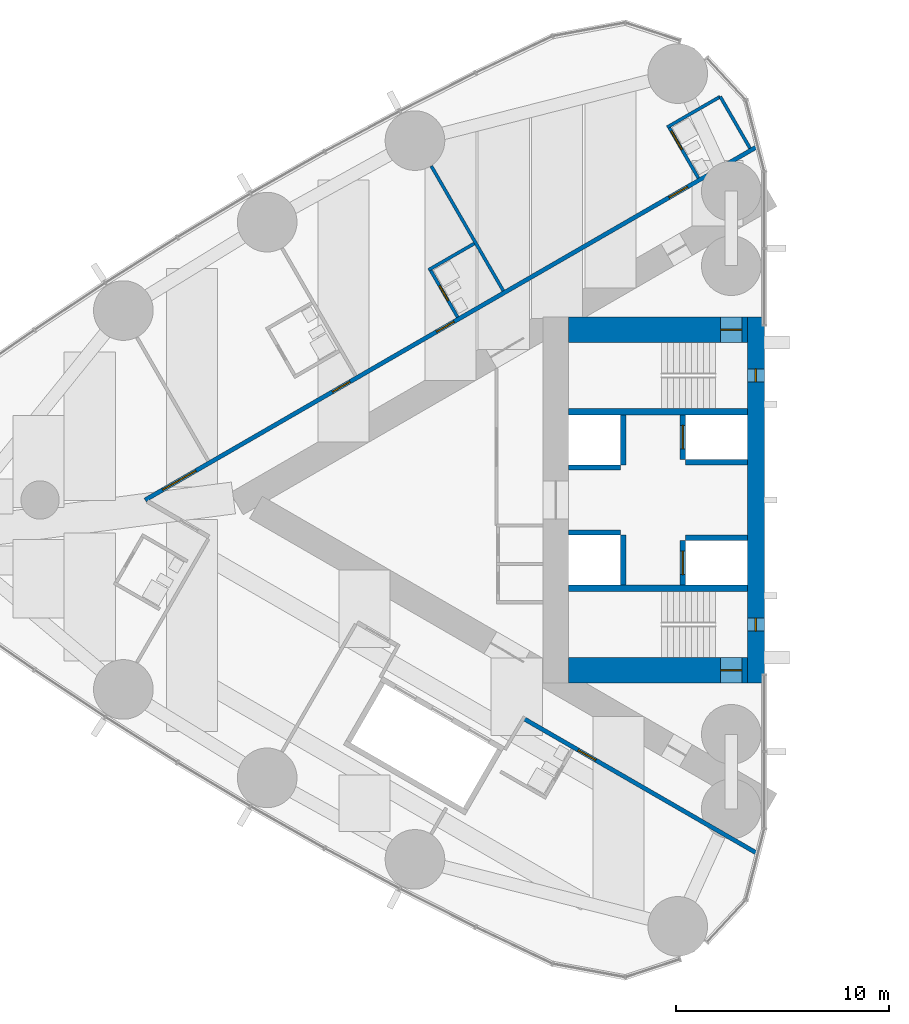
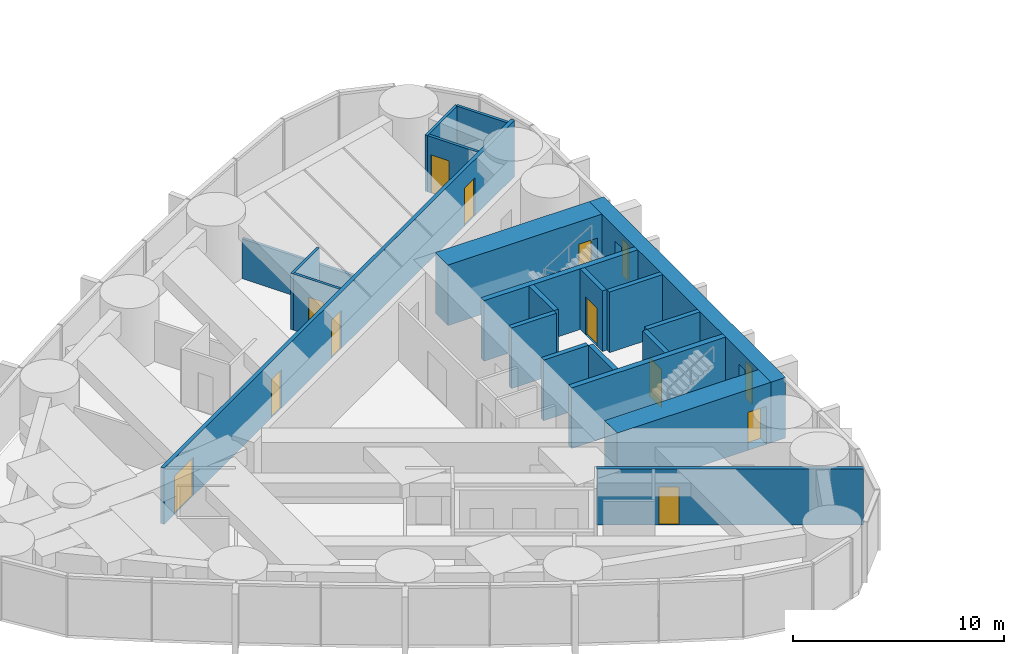
# One storey, part 13 of 19: 21 walls, 11 doors, 2 windows, 13 openings.
"""IFC4 building model written with IfcOpenShell, lengths in metres."""

from ifc_helpers import new_model, si_unit, direction, frame, frame_2d, origin, place, context, subcontext, project, spatial, rectangle, extrude, material, layer, layer_set, type_object, element, fill, save


model = new_model("IFC4")

# Units and contexts
model_context = context("Model", 3, precision=1e-05, world=origin(), true_north=direction((0.0, 1.0)))
body_context = subcontext(model_context, "Body", "Model", "MODEL_VIEW")
ifc_project = project(units=[si_unit("LENGTHUNIT", "METRE"), si_unit("AREAUNIT", "SQUARE_METRE"), si_unit("VOLUMEUNIT", "CUBIC_METRE"), si_unit("PLANEANGLEUNIT", "RADIAN"), si_unit("MASSUNIT", "GRAM", prefix="KILO")], contexts=[model_context])

# Site, building, storey
site_placement = place(None, origin())
site = spatial("IfcSite", under=ifc_project, at=site_placement, CompositionType="ELEMENT")
building_placement = place(site_placement, origin())
building = spatial("IfcBuilding", under=site, at=building_placement, Name="Lancet Gate Hotel", CompositionType="ELEMENT")
storey_placement = place(building_placement, frame((0.0, 0.0, 198.300048828125)))
storey = spatial("IfcBuildingStorey", under=building, at=storey_placement, Name="L53", CompositionType="ELEMENT", Elevation=198.300048828125)

# Wall
ifc_material_1 = material(Name="Moisture resistant board partition")
ifc_layer_1 = layer(ifc_material_1, 0.14990234375)
ifc_layer_set_1 = layer_set([ifc_layer_1], Name="Bathroom wall 150")
wall_type_1 = type_object("IfcWallType", Name="Bathroom wall 150", PredefinedType="PARTITIONING", material=ifc_layer_set_1)
wall_1_placement = place(storey_placement, frame((-29.56982421875, 18.936279296875, 0.0), z_axis=(0.0, 0.0, 1.0), x_axis=(-0.866018712932, -0.500011588718, 0.0)))
element("IfcWall", 1, at=wall_1_placement, inside=storey, type_object=wall_type_1, Name="T1 bathroom wall 150 L53", PredefinedType="PARTITIONING", context=body_context, shape_type="SweptSolid", body=[
    extrude(rectangle(XDim=2.875, YDim=0.14990234375, at=frame_2d((1.4375, 0.0))), origin(), (0.0, 0.0, 1.0), 3.25),
])

# Wall, opening, door
wall_2_placement = place(storey_placement, frame((-30.5947265625, 15.111328125, 0.0), z_axis=(0.0, 0.0, 1.0), x_axis=(-0.49998411664, 0.866034573852, 0.0)))
wall_2 = element("IfcWall", 2, at=wall_2_placement, inside=storey, type_object=wall_type_1, Name="T1 bathroom wall 150 L53", PredefinedType="PARTITIONING", context=body_context, shape_type="SweptSolid", body=[
    extrude(rectangle(XDim=2.7998046875, YDim=0.14990234375, at=frame_2d((1.39990234375, 0.0))), origin(), (0.0, 0.0, 1.0), 3.25),
])
opening_1_placement = place(wall_2_placement, frame((1.550048828125, 0.0, 0.0)))
opening_1 = element("IfcOpeningElement", 3, at=opening_1_placement, cuts=wall_2, Name="Opening 5301-B", PredefinedType="OPENING", context=body_context, shape_type="SweptSolid", body=[
    extrude(rectangle(XDim=1.0, YDim=2.199951171875, at=frame_2d((0.5, 1.10009765625))), frame((0.0, 0.0849609375, 0.0), z_axis=(0.0, -1.0, 0.0), x_axis=(1.0, 0.0, 0.0)), (0.0, 0.0, 1.0), 0.169921875),
])
ifc_material_2 = material(Name="Timber door set", Category="wood")
door_type_1 = type_object("IfcDoorType", Name="Accessible en-suite door 1000", OperationType="SINGLE_SWING_RIGHT", PredefinedType="DOOR", material=ifc_material_2)
door_1_placement = place(opening_1_placement, origin())
door_1 = element("IfcDoor", 4, at=door_1_placement, inside=storey, type_object=door_type_1, Name="5301-B", OperationType="SINGLE_SWING_RIGHT", OverallHeight=2.199951171875, OverallWidth=1.0, PredefinedType="DOOR", context=body_context, shape_type="SweptSolid", body=[
    extrude(rectangle(XDim=1.0, YDim=2.199951171875, at=frame_2d((0.5, 1.10009765625))), frame((0.0, 0.02490234375, 0.0), z_axis=(0.0, -1.0, 0.0), x_axis=(1.0, 0.0, 0.0)), (0.0, 0.0, 1.0), 0.050048828125),
])
fill(opening_1, door_1)

# Walls
wall_3_placement = place(storey_placement, frame((-28.169921875, 16.51123046875, 0.0), z_axis=(0.0, 0.0, 1.0), x_axis=(-0.49994636267, 0.866056369097, 0.0)))
element("IfcWall", 5, at=wall_3_placement, inside=storey, type_object=wall_type_1, Name="T1 bathroom wall 150 L53", PredefinedType="PARTITIONING", context=body_context, shape_type="SweptSolid", body=[
    extrude(rectangle(XDim=2.800048828125, YDim=0.14990234375, at=frame_2d((1.39990234375, 0.0))), origin(), (0.0, 0.0, 1.0), 3.25),
])
wall_4_placement = place(storey_placement, frame((-41.119140625, 12.037109375, 0.0), z_axis=(0.0, 0.0, 1.0), x_axis=(-0.866073894602, -0.499916002032, 0.0)))
element("IfcWall", 6, at=wall_4_placement, inside=storey, type_object=wall_type_1, Name="T1 bathroom wall 150 L53", PredefinedType="PARTITIONING", context=body_context, shape_type="SweptSolid", body=[
    extrude(rectangle(XDim=2.47509765625, YDim=0.14990234375, at=frame_2d((1.237548828125, 0.0))), origin(), (0.0, 0.0, 1.0), 3.25),
])

# Wall, opening, door
wall_5_placement = place(storey_placement, frame((-41.897705078125, 8.58544921875, 0.0), z_axis=(0.0, 0.0, 1.0), x_axis=(-0.500006934395, 0.866021400173, 0.0)))
wall_5 = element("IfcWall", 7, at=wall_5_placement, inside=storey, type_object=wall_type_1, Name="T1 bathroom wall 150 L53", PredefinedType="PARTITIONING", context=body_context, shape_type="SweptSolid", body=[
    extrude(rectangle(XDim=2.60009765625, YDim=0.14990234375, at=frame_2d((1.300048828125, 0.0))), origin(), (0.0, 0.0, 1.0), 3.25),
])
opening_2_placement = place(wall_5_placement, frame((0.89990234375, 0.0, 0.0)))
opening_2 = element("IfcOpeningElement", 8, at=opening_2_placement, cuts=wall_5, Name="Opening 5302-B", PredefinedType="OPENING", context=body_context, shape_type="SweptSolid", body=[
    extrude(rectangle(XDim=0.800048828125, YDim=2.199951171875, at=frame_2d((0.39990234375, 1.10009765625))), frame((0.0, 0.0849609375, 0.0), z_axis=(0.0, -1.0, 0.0), x_axis=(1.0, 0.0, 0.0)), (0.0, 0.0, 1.0), 0.169921875),
])
ifc_material_3 = material(Name="Timber door set", Category="wood")
door_type_2 = type_object("IfcDoorType", Name="Bathroom door 800", OperationType="SINGLE_SWING_RIGHT", PredefinedType="DOOR", material=ifc_material_3)
door_2_placement = place(opening_2_placement, origin())
door_2 = element("IfcDoor", 9, at=door_2_placement, inside=storey, type_object=door_type_2, Name="5302-B", OperationType="SINGLE_SWING_RIGHT", OverallHeight=2.199951171875, OverallWidth=0.800048828125, PredefinedType="DOOR", context=body_context, shape_type="SweptSolid", body=[
    extrude(rectangle(XDim=0.800048828125, YDim=2.199951171875, at=frame_2d((0.39990234375, 1.10009765625))), frame((0.0, 0.02490234375, 0.0), z_axis=(0.0, -1.0, 0.0), x_axis=(1.0, 0.0, 0.0)), (0.0, 0.0, 1.0), 0.050048828125),
])
fill(opening_2, door_2)

ifc_material_4 = material(Name="Concrete C70/85", Category="concrete")
ifc_layer_2 = layer(ifc_material_4, 1.199951171875)
ifc_layer_set_2 = layer_set([ifc_layer_2], Name="Core wall 1200")
wall_type_2 = type_object("IfcWallType", Name="Core wall 1200", PredefinedType="SHEAR", material=ifc_layer_set_2)
wall_6_placement = place(storey_placement, frame((-28.300048828125, 8.0, 0.0), z_axis=(0.0, 0.0, 1.0), x_axis=(-1.0, 0.0, 0.0)))
wall_6 = element("IfcWall", 10, at=wall_6_placement, inside=storey, type_object=wall_type_2, Name="T1 core wall side-S L53", PredefinedType="SHEAR", context=body_context, shape_type="SweptSolid", body=[
    extrude(rectangle(XDim=8.39990234375, YDim=1.199951171875, at=frame_2d((4.199951171875, 0.0))), origin(), (0.0, 0.0, 1.0), 3.5),
])
opening_3_placement = place(wall_6_placement, frame((0.25, 0.0, 0.0)))
opening_3 = element("IfcOpeningElement", 11, at=opening_3_placement, cuts=wall_6, Name="Opening T1-L53-ST1", PredefinedType="OPENING", context=body_context, shape_type="SweptSolid", body=[
    extrude(rectangle(XDim=1.0, YDim=2.199951171875, at=frame_2d((0.5, 1.10009765625))), frame((0.0, 0.60986328125, 0.0), z_axis=(0.0, -1.0, 0.0), x_axis=(1.0, 0.0, 0.0)), (0.0, 0.0, 1.0), 1.219970703125),
])
ifc_material_5 = material(Name="Timber door set", Category="wood")
door_type_3 = type_object("IfcDoorType", Name="Stair door 1000", OperationType="SINGLE_SWING_RIGHT", PredefinedType="DOOR", material=ifc_material_5)
door_3_placement = place(opening_3_placement, origin())
door_3 = element("IfcDoor", 12, at=door_3_placement, inside=storey, type_object=door_type_3, Name="T1-L53-ST1", OperationType="SINGLE_SWING_RIGHT", OverallHeight=2.199951171875, OverallWidth=1.0, PredefinedType="DOOR", context=body_context, shape_type="SweptSolid", body=[
    extrude(rectangle(XDim=1.0, YDim=2.199951171875, at=frame_2d((0.5, 1.10009765625))), frame((0.0, 0.02490234375, 0.0), z_axis=(0.0, -1.0, 0.0), x_axis=(1.0, 0.0, 0.0)), (0.0, 0.0, 1.0), 0.050048828125),
])
fill(opening_3, door_3)

wall_7_placement = place(storey_placement, frame((-28.300048828125, -8.0, 0.0), z_axis=(0.0, 0.0, 1.0), x_axis=(-1.0, 0.0, 0.0)))
wall_7 = element("IfcWall", 13, at=wall_7_placement, inside=storey, type_object=wall_type_2, Name="T1 core wall side-N L53", PredefinedType="SHEAR", context=body_context, shape_type="SweptSolid", body=[
    extrude(rectangle(XDim=8.39990234375, YDim=1.199951171875, at=frame_2d((4.199951171875, 0.0))), origin(), (0.0, 0.0, 1.0), 3.5),
])
opening_4_placement = place(wall_7_placement, frame((0.25, 0.0, 0.0)))
opening_4 = element("IfcOpeningElement", 14, at=opening_4_placement, cuts=wall_7, Name="Opening T1-L53-ST2", PredefinedType="OPENING", context=body_context, shape_type="SweptSolid", body=[
    extrude(rectangle(XDim=1.0, YDim=2.199951171875, at=frame_2d((0.5, 1.10009765625))), frame((0.0, 0.60986328125, 0.0), z_axis=(0.0, -1.0, 0.0), x_axis=(1.0, 0.0, 0.0)), (0.0, 0.0, 1.0), 1.219970703125),
])
door_4_placement = place(opening_4_placement, origin())
door_4 = element("IfcDoor", 15, at=door_4_placement, inside=storey, type_object=door_type_3, Name="T1-L53-ST2", OperationType="SINGLE_SWING_RIGHT", OverallHeight=2.199951171875, OverallWidth=1.0, PredefinedType="DOOR", context=body_context, shape_type="SweptSolid", body=[
    extrude(rectangle(XDim=1.0, YDim=2.199951171875, at=frame_2d((0.5, 1.10009765625))), frame((0.0, 0.02490234375, 0.0), z_axis=(0.0, -1.0, 0.0), x_axis=(1.0, 0.0, 0.0)), (0.0, 0.0, 1.0), 0.050048828125),
])
fill(opening_4, door_4)

# Wall, openings, windows
ifc_material_6 = material(Name="Concrete C70/85", Category="concrete")
ifc_layer_3 = layer(ifc_material_6, 0.800048828125)
ifc_layer_set_3 = layer_set([ifc_layer_3], Name="Core wall 800")
wall_type_3 = type_object("IfcWallType", Name="Core wall 800", PredefinedType="SHEAR", material=ifc_layer_set_3)
wall_8_placement = place(storey_placement, frame((-27.89990234375, 8.60009765625, 0.0), z_axis=(0.0, 0.0, 1.0), x_axis=(0.0, -1.0, 0.0)))
wall_8 = element("IfcWall", 16, at=wall_8_placement, inside=storey, type_object=wall_type_3, Name="T1 core wall front L53", PredefinedType="SHEAR", context=body_context, shape_type="SweptSolid", body=[
    extrude(rectangle(XDim=17.2001953125, YDim=0.800048828125, at=frame_2d((8.60009765625, 0.0))), origin(), (0.0, 0.0, 1.0), 3.5),
])
opening_5_placement = place(wall_8_placement, frame((2.449951171875, 0.0, 0.60009765625)))
opening_5 = element("IfcOpeningElement", 17, at=opening_5_placement, cuts=wall_8, Name="Opening LW1", PredefinedType="OPENING", context=body_context, shape_type="SweptSolid", body=[
    extrude(rectangle(XDim=0.60009765625, YDim=2.10009765625, at=frame_2d((0.300048828125, 1.050048828125))), frame((0.0, 0.409912109375, 0.0), z_axis=(0.0, -1.0, 0.0), x_axis=(1.0, 0.0, 0.0)), (0.0, 0.0, 1.0), 0.820068359375),
])
opening_6_placement = place(wall_8_placement, frame((14.14990234375, 0.0, 0.60009765625)))
opening_6 = element("IfcOpeningElement", 18, at=opening_6_placement, cuts=wall_8, Name="Opening LW1", PredefinedType="OPENING", context=body_context, shape_type="SweptSolid", body=[
    extrude(rectangle(XDim=0.60009765625, YDim=2.10009765625, at=frame_2d((0.300048828125, 1.050048828125))), frame((0.0, 0.409912109375, 0.0), z_axis=(0.0, -1.0, 0.0), x_axis=(1.0, 0.0, 0.0)), (0.0, 0.0, 1.0), 0.820068359375),
])
ifc_material_7 = material(Name="Fire-resisting glazed steel window", Category="steel")
window_type = type_object("IfcWindowType", Name="Lancet window 600x2100", PartitioningType="SINGLE_PANEL", PredefinedType="WINDOW", material=ifc_material_7)
window_1_placement = place(opening_5_placement, origin())
window_1 = element("IfcWindow", 19, at=window_1_placement, inside=storey, type_object=window_type, Name="T1 stair window S L53", OverallHeight=2.10009765625, OverallWidth=0.60009765625, PartitioningType="SINGLE_PANEL", PredefinedType="WINDOW", context=body_context, shape_type="SweptSolid", body=[
    extrude(rectangle(XDim=0.60009765625, YDim=2.10009765625, at=frame_2d((0.300048828125, 1.050048828125))), frame((0.0, 0.030029296875, 0.0), z_axis=(0.0, -1.0, 0.0), x_axis=(1.0, 0.0, 0.0)), (0.0, 0.0, 1.0), 0.06005859375),
])
fill(opening_5, window_1)
window_2_placement = place(opening_6_placement, origin())
window_2 = element("IfcWindow", 20, at=window_2_placement, inside=storey, type_object=window_type, Name="T1 stair window N L53", OverallHeight=2.10009765625, OverallWidth=0.60009765625, PartitioningType="SINGLE_PANEL", PredefinedType="WINDOW", context=body_context, shape_type="SweptSolid", body=[
    extrude(rectangle(XDim=0.60009765625, YDim=2.10009765625, at=frame_2d((0.300048828125, 1.050048828125))), frame((0.0, 0.030029296875, 0.0), z_axis=(0.0, -1.0, 0.0), x_axis=(1.0, 0.0, 0.0)), (0.0, 0.0, 1.0), 0.06005859375),
])
fill(opening_6, window_2)

# Wall, openings, doors
ifc_material_8 = material(Name="Gypsum board partition")
ifc_layer_4 = layer(ifc_material_8, 0.199951171875)
ifc_layer_set_4 = layer_set([ifc_layer_4], Name="Corridor wall 200")
wall_type_4 = type_object("IfcWallType", Name="Corridor wall 200", PredefinedType="PARTITIONING", material=ifc_layer_set_4)
wall_9_placement = place(storey_placement, frame((-27.860107421875, 16.57470703125, 0.0), z_axis=(0.0, 0.0, 1.0), x_axis=(-0.866025533911, -0.499999774615, 0.0)))
wall_9 = element("IfcWall", 21, at=wall_9_placement, inside=storey, type_object=wall_type_4, Name="T1 corridor wall 200 L53", PredefinedType="PARTITIONING", context=body_context, shape_type="SweptSolid", body=[
    extrude(rectangle(XDim=33.1494140625, YDim=0.199951171875, at=frame_2d((16.57470703125, 0.0))), origin(), (0.0, 0.0, 1.0), 3.25),
])
opening_7_placement = place(wall_9_placement, frame((3.75, 0.0, 0.0)))
opening_7 = element("IfcOpeningElement", 22, at=opening_7_placement, cuts=wall_9, Name="Opening 5301-E", PredefinedType="OPENING", context=body_context, shape_type="SweptSolid", body=[
    extrude(rectangle(XDim=1.0, YDim=2.199951171875, at=frame_2d((0.5, 1.10009765625))), frame((0.0, 0.10986328125, 0.0), z_axis=(0.0, -1.0, 0.0), x_axis=(1.0, 0.0, 0.0)), (0.0, 0.0, 1.0), 0.219970703125),
])
opening_8_placement = place(wall_9_placement, frame((16.401611328125, 0.0, 0.0)))
opening_8 = element("IfcOpeningElement", 23, at=opening_8_placement, cuts=wall_9, Name="Opening 5302-E", PredefinedType="OPENING", context=body_context, shape_type="SweptSolid", body=[
    extrude(rectangle(XDim=0.949951171875, YDim=2.199951171875, at=frame_2d((0.47509765625, 1.10009765625))), frame((0.0, 0.10986328125, 0.0), z_axis=(0.0, -1.0, 0.0), x_axis=(1.0, 0.0, 0.0)), (0.0, 0.0, 1.0), 0.219970703125),
])
opening_9_placement = place(wall_9_placement, frame((22.04736328125, 0.0, 0.0)))
opening_9 = element("IfcOpeningElement", 24, at=opening_9_placement, cuts=wall_9, Name="Opening 5303-E", PredefinedType="OPENING", context=body_context, shape_type="SweptSolid", body=[
    extrude(rectangle(XDim=0.949951171875, YDim=2.199951171875, at=frame_2d((0.47509765625, 1.10009765625))), frame((0.0, 0.10986328125, 0.0), z_axis=(0.0, -1.0, 0.0), x_axis=(1.0, 0.0, 0.0)), (0.0, 0.0, 1.0), 0.219970703125),
])
opening_10_placement = place(wall_9_placement, frame((30.3955078125, 0.0, 0.0)))
opening_10 = element("IfcOpeningElement", 25, at=opening_10_placement, cuts=wall_9, Name="Opening 5304-E", PredefinedType="OPENING", context=body_context, shape_type="SweptSolid", body=[
    extrude(rectangle(XDim=1.800048828125, YDim=2.199951171875, at=frame_2d((0.89990234375, 1.10009765625))), frame((0.0, 0.10986328125, 0.0), z_axis=(0.0, -1.0, 0.0), x_axis=(1.0, 0.0, 0.0)), (0.0, 0.0, 1.0), 0.219970703125),
])
ifc_material_9 = material(Name="Timber door set", Category="wood")
door_type_4 = type_object("IfcDoorType", Name="Accessible guest room door 1000", OperationType="SINGLE_SWING_LEFT", PredefinedType="DOOR", material=ifc_material_9)
door_5_placement = place(opening_7_placement, origin())
door_5 = element("IfcDoor", 26, at=door_5_placement, inside=storey, type_object=door_type_4, Name="5301-E", OperationType="SINGLE_SWING_LEFT", OverallHeight=2.199951171875, OverallWidth=1.0, PredefinedType="DOOR", context=body_context, shape_type="SweptSolid", body=[
    extrude(rectangle(XDim=1.0, YDim=2.199951171875, at=frame_2d((0.5, 1.10009765625))), frame((0.0, 0.02490234375, 0.0), z_axis=(0.0, -1.0, 0.0), x_axis=(1.0, 0.0, 0.0)), (0.0, 0.0, 1.0), 0.050048828125),
])
fill(opening_7, door_5)
ifc_material_10 = material(Name="Timber door set", Category="wood")
door_type_5 = type_object("IfcDoorType", Name="Double door 1800", OperationType="DOUBLE_DOOR_SINGLE_SWING", PredefinedType="DOOR", material=ifc_material_10)
door_6_placement = place(opening_10_placement, origin())
door_6 = element("IfcDoor", 27, at=door_6_placement, inside=storey, type_object=door_type_5, Name="5304-E", OperationType="DOUBLE_DOOR_SINGLE_SWING", OverallHeight=2.199951171875, OverallWidth=1.800048828125, PredefinedType="DOOR", context=body_context, shape_type="SweptSolid", body=[
    extrude(rectangle(XDim=1.800048828125, YDim=2.199951171875, at=frame_2d((0.89990234375, 1.10009765625))), frame((0.0, 0.02490234375, 0.0), z_axis=(0.0, -1.0, 0.0), x_axis=(1.0, 0.0, 0.0)), (0.0, 0.0, 1.0), 0.050048828125),
])
fill(opening_10, door_6)
ifc_material_11 = material(Name="Timber door set", Category="wood")
door_type_6 = type_object("IfcDoorType", Name="Guest room entry door 950", OperationType="SINGLE_SWING_LEFT", PredefinedType="DOOR", material=ifc_material_11)
door_7_placement = place(opening_8_placement, origin())
door_7 = element("IfcDoor", 28, at=door_7_placement, inside=storey, type_object=door_type_6, Name="5302-E", OperationType="SINGLE_SWING_LEFT", OverallHeight=2.199951171875, OverallWidth=0.949951171875, PredefinedType="DOOR", context=body_context, shape_type="SweptSolid", body=[
    extrude(rectangle(XDim=0.949951171875, YDim=2.199951171875, at=frame_2d((0.47509765625, 1.10009765625))), frame((0.0, 0.02490234375, 0.0), z_axis=(0.0, -1.0, 0.0), x_axis=(1.0, 0.0, 0.0)), (0.0, 0.0, 1.0), 0.050048828125),
])
fill(opening_8, door_7)
door_8_placement = place(opening_9_placement, origin())
door_8 = element("IfcDoor", 29, at=door_8_placement, inside=storey, type_object=door_type_6, Name="5303-E", OperationType="SINGLE_SWING_LEFT", OverallHeight=2.199951171875, OverallWidth=0.949951171875, PredefinedType="DOOR", context=body_context, shape_type="SweptSolid", body=[
    extrude(rectangle(XDim=0.949951171875, YDim=2.199951171875, at=frame_2d((0.47509765625, 1.10009765625))), frame((0.0, 0.02490234375, 0.0), z_axis=(0.0, -1.0, 0.0), x_axis=(1.0, 0.0, 0.0)), (0.0, 0.0, 1.0), 0.050048828125),
])
fill(opening_9, door_8)

# Wall, opening, door
wall_10_placement = place(storey_placement, frame((-27.860107421875, -16.57470703125, 0.0), z_axis=(0.0, 0.0, 1.0), x_axis=(-0.866027756871, 0.499995924312, 0.0)))
wall_10 = element("IfcWall", 30, at=wall_10_placement, inside=storey, type_object=wall_type_4, Name="T1 corridor wall 200 L53", PredefinedType="PARTITIONING", context=body_context, shape_type="SweptSolid", body=[
    extrude(rectangle(XDim=12.6220703125, YDim=0.199951171875, at=frame_2d((6.31103515625, 0.0))), origin(), (0.0, 0.0, 1.0), 3.25),
])
opening_11_placement = place(wall_10_placement, frame((8.72216796875, 0.0, 0.0)))
opening_11 = element("IfcOpeningElement", 31, at=opening_11_placement, cuts=wall_10, Name="Opening 5308-E", PredefinedType="OPENING", context=body_context, shape_type="SweptSolid", body=[
    extrude(rectangle(XDim=0.949951171875, YDim=2.199951171875, at=frame_2d((0.47509765625, 1.10009765625))), frame((0.0, 0.10986328125, 0.0), z_axis=(0.0, -1.0, 0.0), x_axis=(1.0, 0.0, 0.0)), (0.0, 0.0, 1.0), 0.219970703125),
])
door_9_placement = place(opening_11_placement, origin())
door_9 = element("IfcDoor", 32, at=door_9_placement, inside=storey, type_object=door_type_6, Name="5308-E", OperationType="SINGLE_SWING_LEFT", OverallHeight=2.199951171875, OverallWidth=0.949951171875, PredefinedType="DOOR", context=body_context, shape_type="SweptSolid", body=[
    extrude(rectangle(XDim=0.949951171875, YDim=2.199951171875, at=frame_2d((0.47509765625, 1.10009765625))), frame((0.0, 0.02490234375, 0.0), z_axis=(0.0, -1.0, 0.0), x_axis=(1.0, 0.0, 0.0)), (0.0, 0.0, 1.0), 0.050048828125),
])
fill(opening_11, door_9)

ifc_material_12 = material(Name="Concrete C50/60", Category="concrete")
ifc_layer_5 = layer(ifc_material_12, 0.25)
ifc_layer_set_5 = layer_set([ifc_layer_5], Name="Lift shaft wall 250")
wall_type_5 = type_object("IfcWallType", Name="Lift shaft wall 250", PredefinedType="SHEAR", material=ifc_layer_set_5)
wall_11_placement = place(storey_placement, frame((-31.324951171875, 4.0, 0.0), z_axis=(0.0, 0.0, 1.0), x_axis=(0.0, -1.0, 0.0)))
wall_11 = element("IfcWall", 33, at=wall_11_placement, inside=storey, type_object=wall_type_5, Name="T1 core wall row1-S L53", PredefinedType="SHEAR", context=body_context, shape_type="SweptSolid", body=[
    extrude(rectangle(XDim=2.10009765625, YDim=0.25, at=frame_2d((1.050048828125, 0.0))), origin(), (0.0, 0.0, 1.0), 3.5),
])
opening_12_placement = place(wall_11_placement, frame((0.5, 0.0, 0.0)))
opening_12 = element("IfcOpeningElement", 34, at=opening_12_placement, cuts=wall_11, Name="Opening T1-SL1-L53", PredefinedType="OPENING", context=body_context, shape_type="SweptSolid", body=[
    extrude(rectangle(XDim=1.10009765625, YDim=2.199951171875, at=frame_2d((0.550048828125, 1.10009765625))), frame((0.0, 0.135009765625, 0.0), z_axis=(0.0, -1.0, 0.0), x_axis=(1.0, 0.0, 0.0)), (0.0, 0.0, 1.0), 0.27001953125),
])
ifc_material_13 = material(Name="Timber door set", Category="wood")
door_type_7 = type_object("IfcDoorType", Name="Service lift landing door 1100", OperationType="SLIDING_TO_LEFT", PredefinedType="USERDEFINED", material=ifc_material_13)
door_10_placement = place(opening_12_placement, origin())
door_10 = element("IfcDoor", 35, at=door_10_placement, inside=storey, type_object=door_type_7, Name="T1-SL1-L53", ObjectType="LIFT LANDING DOOR", OperationType="SLIDING_TO_LEFT", OverallHeight=2.199951171875, OverallWidth=1.10009765625, PredefinedType="USERDEFINED", context=body_context, shape_type="SweptSolid", body=[
    extrude(rectangle(XDim=1.10009765625, YDim=2.199951171875, at=frame_2d((0.550048828125, 1.10009765625))), frame((0.0, 0.02490234375, 0.0), z_axis=(0.0, -1.0, 0.0), x_axis=(1.0, 0.0, 0.0)), (0.0, 0.0, 1.0), 0.050048828125),
])
fill(opening_12, door_10)

# Walls
wall_12_placement = place(storey_placement, frame((-34.125, 4.0, 0.0), z_axis=(0.0, 0.0, 1.0), x_axis=(0.0, -1.0, 0.0)))
element("IfcWall", 36, at=wall_12_placement, inside=storey, type_object=wall_type_5, Name="T1 core wall row2-S L53", PredefinedType="SHEAR", context=body_context, shape_type="SweptSolid", body=[
    extrude(rectangle(XDim=2.35009765625, YDim=0.25, at=frame_2d((1.175048828125, 0.0))), origin(), (0.0, 0.0, 1.0), 3.5),
])
wall_13_placement = place(storey_placement, frame((-28.300048828125, 1.77490234375, 0.0), z_axis=(0.0, 0.0, 1.0), x_axis=(-1.0, 0.0, 0.0)))
element("IfcWall", 37, at=wall_13_placement, inside=storey, type_object=wall_type_5, Name="T1 core wall pass1-S L53", PredefinedType="SHEAR", context=body_context, shape_type="SweptSolid", body=[
    extrude(rectangle(XDim=2.89990234375, YDim=0.25, at=frame_2d((1.449951171875, 0.0))), origin(), (0.0, 0.0, 1.0), 3.5),
])
wall_14_placement = place(storey_placement, frame((-34.25, 1.52490234375, 0.0), z_axis=(0.0, 0.0, 1.0), x_axis=(-1.0, 0.0, 0.0)))
element("IfcWall", 38, at=wall_14_placement, inside=storey, type_object=wall_type_5, Name="T1 core wall pass2-S L53", PredefinedType="SHEAR", context=body_context, shape_type="SweptSolid", body=[
    extrude(rectangle(XDim=2.449951171875, YDim=0.25, at=frame_2d((1.22509765625, 0.0))), origin(), (0.0, 0.0, 1.0), 3.5),
])

# Wall, opening, door
wall_15_placement = place(storey_placement, frame((-31.324951171875, -1.89990234375, 0.0), z_axis=(0.0, 0.0, 1.0), x_axis=(0.0, -1.0, 0.0)))
wall_15 = element("IfcWall", 39, at=wall_15_placement, inside=storey, type_object=wall_type_5, Name="T1 core wall row1-N L53", PredefinedType="SHEAR", context=body_context, shape_type="SweptSolid", body=[
    extrude(rectangle(XDim=2.10009765625, YDim=0.25, at=frame_2d((1.050048828125, 0.0))), origin(), (0.0, 0.0, 1.0), 3.5),
])
opening_13_placement = place(wall_15_placement, frame((0.5, 0.0, 0.0)))
opening_13 = element("IfcOpeningElement", 40, at=opening_13_placement, cuts=wall_15, Name="Opening T1-FL2-L53", PredefinedType="OPENING", context=body_context, shape_type="SweptSolid", body=[
    extrude(rectangle(XDim=1.10009765625, YDim=2.199951171875, at=frame_2d((0.550048828125, 1.10009765625))), frame((0.0, 0.135009765625, 0.0), z_axis=(0.0, -1.0, 0.0), x_axis=(1.0, 0.0, 0.0)), (0.0, 0.0, 1.0), 0.27001953125),
])
ifc_material_14 = material(Name="Steel door set", Category="steel")
door_type_8 = type_object("IfcDoorType", Name="Firefighting lift landing door 1100", OperationType="SLIDING_TO_LEFT", PredefinedType="USERDEFINED", material=ifc_material_14)
door_11_placement = place(opening_13_placement, origin())
door_11 = element("IfcDoor", 41, at=door_11_placement, inside=storey, type_object=door_type_8, Name="T1-FL2-L53", ObjectType="LIFT LANDING DOOR", OperationType="SLIDING_TO_LEFT", OverallHeight=2.199951171875, OverallWidth=1.10009765625, PredefinedType="USERDEFINED", context=body_context, shape_type="SweptSolid", body=[
    extrude(rectangle(XDim=1.10009765625, YDim=2.199951171875, at=frame_2d((0.550048828125, 1.10009765625))), frame((0.0, 0.02490234375, 0.0), z_axis=(0.0, -1.0, 0.0), x_axis=(1.0, 0.0, 0.0)), (0.0, 0.0, 1.0), 0.050048828125),
])
fill(opening_13, door_11)

# Walls
wall_16_placement = place(storey_placement, frame((-34.125, -1.64990234375, 0.0), z_axis=(0.0, 0.0, 1.0), x_axis=(0.0, -1.0, 0.0)))
element("IfcWall", 42, at=wall_16_placement, inside=storey, type_object=wall_type_5, Name="T1 core wall row2-N L53", PredefinedType="SHEAR", context=body_context, shape_type="SweptSolid", body=[
    extrude(rectangle(XDim=2.35009765625, YDim=0.25, at=frame_2d((1.175048828125, 0.0))), origin(), (0.0, 0.0, 1.0), 3.5),
])
wall_17_placement = place(storey_placement, frame((-28.300048828125, -1.77490234375, 0.0), z_axis=(0.0, 0.0, 1.0), x_axis=(-1.0, 0.0, 0.0)))
element("IfcWall", 43, at=wall_17_placement, inside=storey, type_object=wall_type_5, Name="T1 core wall pass1-N L53", PredefinedType="SHEAR", context=body_context, shape_type="SweptSolid", body=[
    extrude(rectangle(XDim=2.89990234375, YDim=0.25, at=frame_2d((1.449951171875, 0.0))), origin(), (0.0, 0.0, 1.0), 3.5),
])
wall_18_placement = place(storey_placement, frame((-34.25, -1.52490234375, 0.0), z_axis=(0.0, 0.0, 1.0), x_axis=(-1.0, 0.0, 0.0)))
element("IfcWall", 44, at=wall_18_placement, inside=storey, type_object=wall_type_5, Name="T1 core wall pass2-N L53", PredefinedType="SHEAR", context=body_context, shape_type="SweptSolid", body=[
    extrude(rectangle(XDim=2.449951171875, YDim=0.25, at=frame_2d((1.22509765625, 0.0))), origin(), (0.0, 0.0, 1.0), 3.5),
])
ifc_material_15 = material(Name="Gypsum board partition")
ifc_layer_6 = layer(ifc_material_15, 0.14990234375)
ifc_layer_set_6 = layer_set([ifc_layer_6], Name="Party wall 150")
wall_type_6 = type_object("IfcWallType", Name="Party wall 150", PredefinedType="PARTITIONING", material=ifc_layer_set_6)
wall_19_placement = place(storey_placement, frame((-39.75439453125, 9.822998046875, 0.0), z_axis=(0.0, 0.0, 1.0), x_axis=(-0.499997670926, 0.866026748472, 0.0)))
element("IfcWall", 45, at=wall_19_placement, inside=storey, type_object=wall_type_6, Name="T1 party wall 150 L53", PredefinedType="PARTITIONING", context=body_context, shape_type="SweptSolid", body=[
    extrude(rectangle(XDim=6.75732421875, YDim=0.14990234375, at=frame_2d((3.378662109375, 0.0))), origin(), (0.0, 0.0, 1.0), 2.300048828125),
])
ifc_material_16 = material(Name="Concrete C50/60", Category="concrete")
ifc_layer_7 = layer(ifc_material_16, 0.300048828125)
ifc_layer_set_7 = layer_set([ifc_layer_7], Name="Stair enclosure wall 300")
wall_type_7 = type_object("IfcWallType", Name="Stair enclosure wall 300", PredefinedType="SHEAR", material=ifc_layer_set_7)
for number, where, z_axis, x_axis, name in (
    (46, (-28.300048828125, 4.14990234375, 0.0), (0.0, 0.0, 1.0), (-1.0, 0.0, 0.0), "T1 core wall stair-S L53"),
    (47, (-28.300048828125, -4.14990234375, 0.0), (0.0, 0.0, 1.0), (-1.0, 0.0, 0.0), "T1 core wall stair-N L53"),
):
    element("IfcWall", number, at=place(storey_placement, frame(where, z_axis=z_axis, x_axis=x_axis)), inside=storey, type_object=wall_type_7, Name=name, PredefinedType="SHEAR", context=body_context, shape_type="SweptSolid", body=[
        extrude(rectangle(XDim=8.39990234375, YDim=0.300048828125, at=frame_2d((4.199951171875, 0.0))), origin(), (0.0, 0.0, 1.0), 3.5),
    ])

save(model, "model.ifc")
